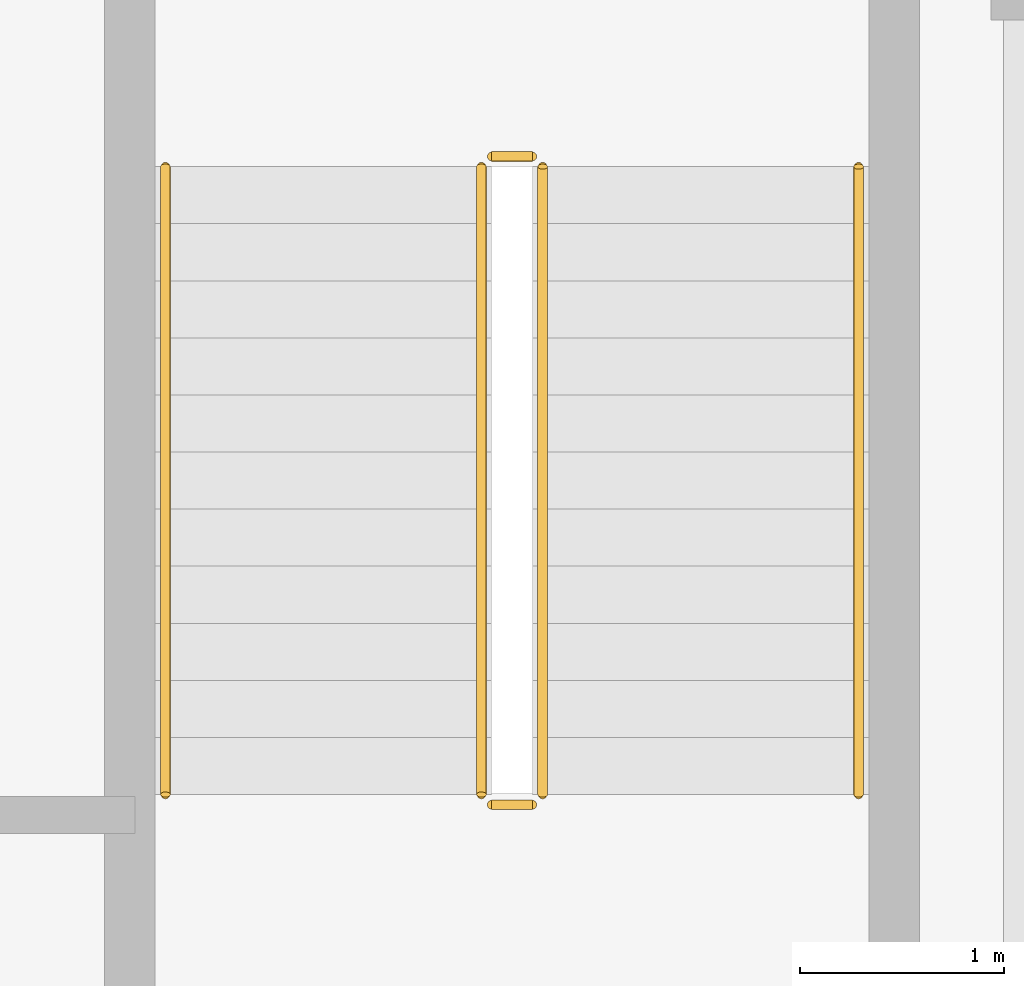
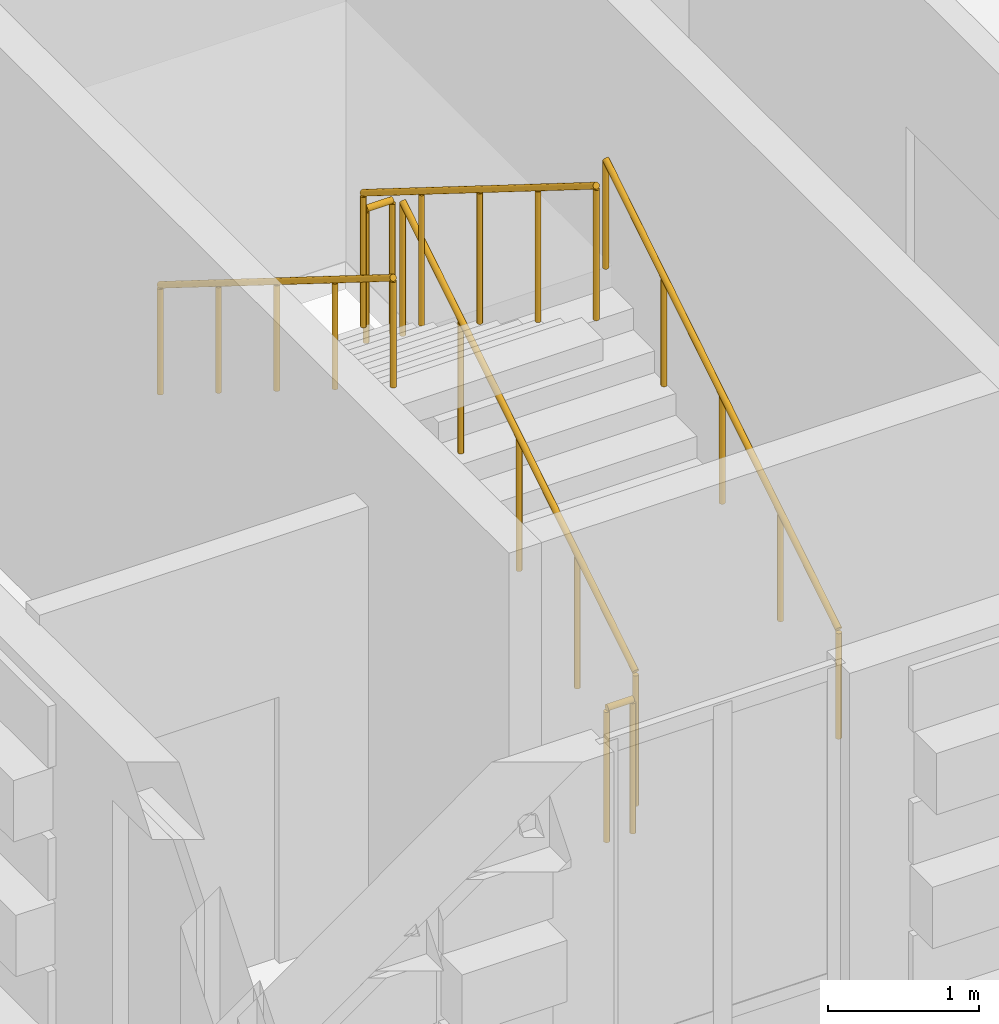
# One storey, part 75 of 81: 6 railings.
"""IFC4 building model written with IfcOpenShell, lengths in metres."""

from ifc_helpers import new_model, si_unit, direction, frame, origin, origin_2d, place, context, subcontext, project, spatial, circle, extrude, material, type_object, element, save


model = new_model("IFC4")

# Units and contexts
model_context = context("Model", 3, precision=1e-05, world=origin(), true_north=direction((0.0, 1.0)))
body_context = subcontext(model_context, "Body", "Model", "MODEL_VIEW")
ifc_project = project(units=[si_unit("LENGTHUNIT", "METRE"), si_unit("AREAUNIT", "SQUARE_METRE"), si_unit("VOLUMEUNIT", "CUBIC_METRE"), si_unit("PLANEANGLEUNIT", "RADIAN"), si_unit("MASSUNIT", "GRAM", prefix="KILO")], contexts=[model_context])

# Site, building, storey
site_placement = place(None, origin())
site = spatial("IfcSite", under=ifc_project, at=site_placement, CompositionType="ELEMENT")
building_placement = place(site_placement, origin())
building = spatial("IfcBuilding", under=site, at=building_placement, Name="Kahlenmark Community Centre", CompositionType="ELEMENT")
storey_placement = place(building_placement, frame((0.0, 0.0, 9.60009765625)))
storey = spatial("IfcBuildingStorey", under=building, at=storey_placement, Name="L02", CompositionType="ELEMENT", Elevation=9.60009765625)

# Railings
ifc_material_1 = material(Name="Brushed stainless steel 1.4301 handrail", Category="steel")
railing_type_1 = type_object("IfcRailingType", Name="RLT-HR-900", PredefinedType="HANDRAIL", material=ifc_material_1)
railing_1_placement = place(storey_placement, frame((57.14990234375, 12.0, 0.1748046875)))
element("IfcRailing", 1, at=railing_1_placement, inside=storey, type_object=railing_type_1, Name="L02 ST-03 stair handrail 1", PredefinedType="HANDRAIL", context=body_context, shape_type="SweptSolid", body=[
    extrude(circle(Radius=0.02392578125, at=origin_2d()), frame((0.0, 0.0, 0.8759765625), z_axis=(0.0, 0.847998304005, 0.529998940003), x_axis=(-1.0, 0.0, 0.0)), (0.0, 0.0, 1.0), 3.632080078125),
    extrude(circle(Radius=0.02099609375, at=origin_2d()), origin(), (0.0, 0.0, 1.0), 0.851806640625),
    extrude(circle(Radius=0.02099609375, at=origin_2d()), frame((0.0, 0.77001953125, 0.481201171875)), (0.0, 0.0, 1.0), 0.851806640625),
    extrude(circle(Radius=0.02099609375, at=origin_2d()), frame((0.0, 1.5400390625, 0.96240234375)), (0.0, 0.0, 1.0), 0.851806640625),
    extrude(circle(Radius=0.02099609375, at=origin_2d()), frame((0.0, 2.31005859375, 1.44384765625)), (0.0, 0.0, 1.0), 0.851806640625),
    extrude(circle(Radius=0.02099609375, at=origin_2d()), frame((0.0, 3.080078125, 1.925048828125)), (0.0, 0.0, 1.0), 0.851806640625),
])
railing_2_placement = place(storey_placement, frame((53.75, 15.080078125, 2.27490234375)))
element("IfcRailing", 2, at=railing_2_placement, inside=storey, type_object=railing_type_1, Name="L02 ST-03 stair handrail 2", PredefinedType="HANDRAIL", context=body_context, shape_type="SweptSolid", body=[
    extrude(circle(Radius=0.02392578125, at=origin_2d()), frame((0.0, 0.0, 0.8759765625), z_axis=(0.0, -0.847998304005, 0.529998940003), x_axis=(1.0, 0.0, 0.0)), (0.0, 0.0, 1.0), 3.632080078125),
    extrude(circle(Radius=0.02099609375, at=origin_2d()), origin(), (0.0, 0.0, 1.0), 0.851806640625),
    extrude(circle(Radius=0.02099609375, at=origin_2d()), frame((0.0, -0.77001953125, 0.481201171875)), (0.0, 0.0, 1.0), 0.851806640625),
    extrude(circle(Radius=0.02099609375, at=origin_2d()), frame((0.0, -1.5400390625, 0.96240234375)), (0.0, 0.0, 1.0), 0.851806640625),
    extrude(circle(Radius=0.02099609375, at=origin_2d()), frame((0.0, -2.31005859375, 1.44384765625)), (0.0, 0.0, 1.0), 0.851806640625),
    extrude(circle(Radius=0.02099609375, at=origin_2d()), frame((0.0, -3.080078125, 1.925048828125)), (0.0, 0.0, 1.0), 0.851806640625),
])
ifc_material_2 = material(Name="Powder-coated steel stair well guard", Category="steel")
railing_type_2 = type_object("IfcRailingType", Name="RLT-SG-1120", PredefinedType="GUARDRAIL", material=ifc_material_2)
railing_3_placement = place(storey_placement, frame((55.60009765625, 12.0, 0.1748046875)))
element("IfcRailing", 3, at=railing_3_placement, inside=storey, type_object=railing_type_2, Name="L02 ST-03 stair guard 1", PredefinedType="GUARDRAIL", context=body_context, shape_type="SweptSolid", body=[
    extrude(circle(Radius=0.02392578125, at=origin_2d()), frame((0.0, 0.0, 1.076171875), z_axis=(0.0, 0.847998304005, 0.529998940003), x_axis=(-1.0, 0.0, 0.0)), (0.0, 0.0, 1.0), 3.632080078125),
    extrude(circle(Radius=0.02099609375, at=origin_2d()), origin(), (0.0, 0.0, 1.0), 1.052001953125),
    extrude(circle(Radius=0.02099609375, at=origin_2d()), frame((0.0, 0.77001953125, 0.481201171875)), (0.0, 0.0, 1.0), 1.052001953125),
    extrude(circle(Radius=0.02099609375, at=origin_2d()), frame((0.0, 1.5400390625, 0.96240234375)), (0.0, 0.0, 1.0), 1.052001953125),
    extrude(circle(Radius=0.02099609375, at=origin_2d()), frame((0.0, 2.31005859375, 1.44384765625)), (0.0, 0.0, 1.0), 1.052001953125),
    extrude(circle(Radius=0.02099609375, at=origin_2d()), frame((0.0, 3.080078125, 1.925048828125)), (0.0, 0.0, 1.0), 1.052001953125),
])
railing_4_placement = place(storey_placement, frame((55.550048828125, 15.1298828125, 2.099853515625)))
element("IfcRailing", 4, at=railing_4_placement, inside=storey, type_object=railing_type_2, Name="L02 ST-03 stair guard 2", PredefinedType="GUARDRAIL", context=body_context, shape_type="SweptSolid", body=[
    extrude(circle(Radius=0.02392578125, at=origin_2d()), frame((0.0, 0.0, 1.076171875), z_axis=(-1.0, 0.0, 0.0), x_axis=(0.0, -1.0, 0.0)), (0.0, 0.0, 1.0), 0.199951171875),
    extrude(circle(Radius=0.02099609375, at=origin_2d()), origin(), (0.0, 0.0, 1.0), 1.052001953125),
    extrude(circle(Radius=0.02099609375, at=origin_2d()), frame((-0.199951171875, 0.0, 0.0)), (0.0, 0.0, 1.0), 1.052001953125),
])
railing_5_placement = place(storey_placement, frame((55.300048828125, 15.080078125, 2.27490234375)))
element("IfcRailing", 5, at=railing_5_placement, inside=storey, type_object=railing_type_2, Name="L02 ST-03 stair guard 3", PredefinedType="GUARDRAIL", context=body_context, shape_type="SweptSolid", body=[
    extrude(circle(Radius=0.02392578125, at=origin_2d()), frame((0.0, 0.0, 1.076171875), z_axis=(0.0, -0.847998304005, 0.529998940003), x_axis=(1.0, 0.0, 0.0)), (0.0, 0.0, 1.0), 3.632080078125),
    extrude(circle(Radius=0.02099609375, at=origin_2d()), origin(), (0.0, 0.0, 1.0), 1.052001953125),
    extrude(circle(Radius=0.02099609375, at=origin_2d()), frame((0.0, -0.77001953125, 0.481201171875)), (0.0, 0.0, 1.0), 1.052001953125),
    extrude(circle(Radius=0.02099609375, at=origin_2d()), frame((0.0, -1.5400390625, 0.96240234375)), (0.0, 0.0, 1.0), 1.052001953125),
    extrude(circle(Radius=0.02099609375, at=origin_2d()), frame((0.0, -2.31005859375, 1.44384765625)), (0.0, 0.0, 1.0), 1.052001953125),
    extrude(circle(Radius=0.02099609375, at=origin_2d()), frame((0.0, -3.080078125, 1.925048828125)), (0.0, 0.0, 1.0), 1.052001953125),
])
railing_6_placement = place(storey_placement, frame((55.550048828125, 11.949951171875, 0.0)))
element("IfcRailing", 6, at=railing_6_placement, inside=storey, type_object=railing_type_2, Name="L02 ST-03 stair guard 4", PredefinedType="GUARDRAIL", context=body_context, shape_type="SweptSolid", body=[
    extrude(circle(Radius=0.02392578125, at=origin_2d()), frame((0.0, 0.0, 1.076171875), z_axis=(-1.0, 0.0, 0.0), x_axis=(0.0, -1.0, 0.0)), (0.0, 0.0, 1.0), 0.199951171875),
    extrude(circle(Radius=0.02099609375, at=origin_2d()), origin(), (0.0, 0.0, 1.0), 1.052001953125),
    extrude(circle(Radius=0.02099609375, at=origin_2d()), frame((-0.199951171875, 0.0, 0.0)), (0.0, 0.0, 1.0), 1.052001953125),
])

save(model, "model.ifc")
